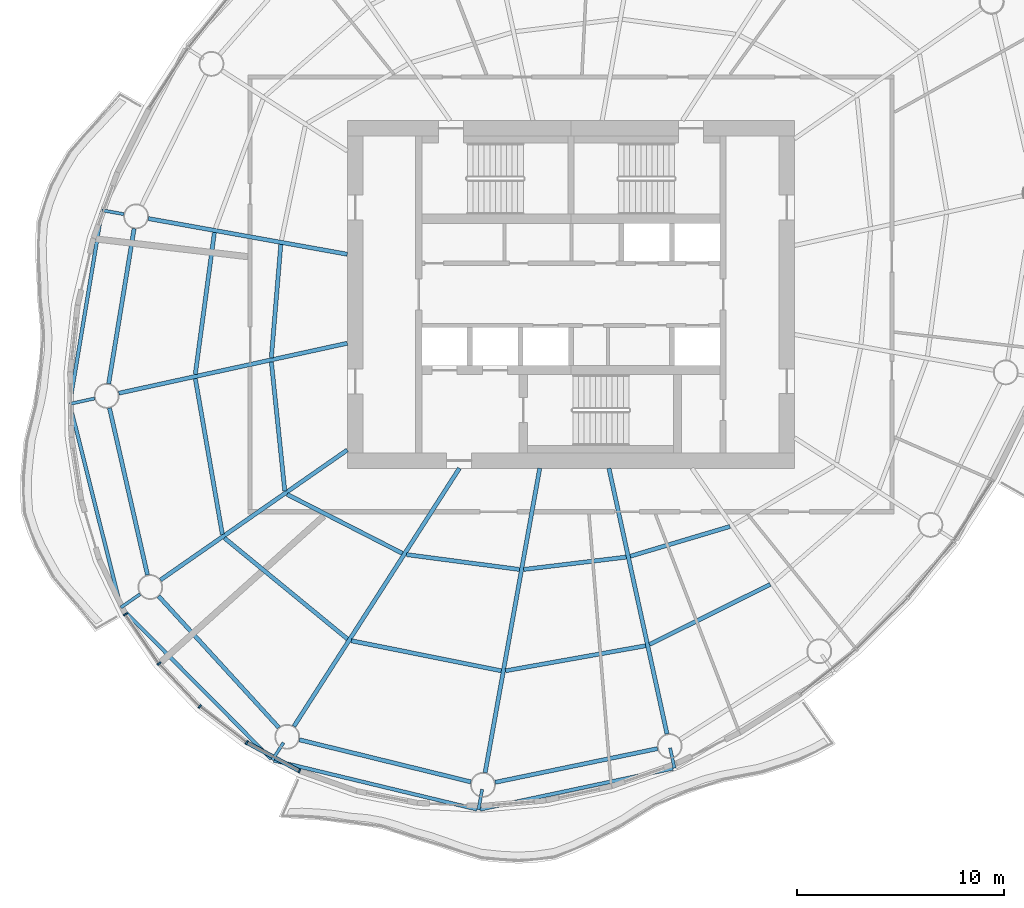
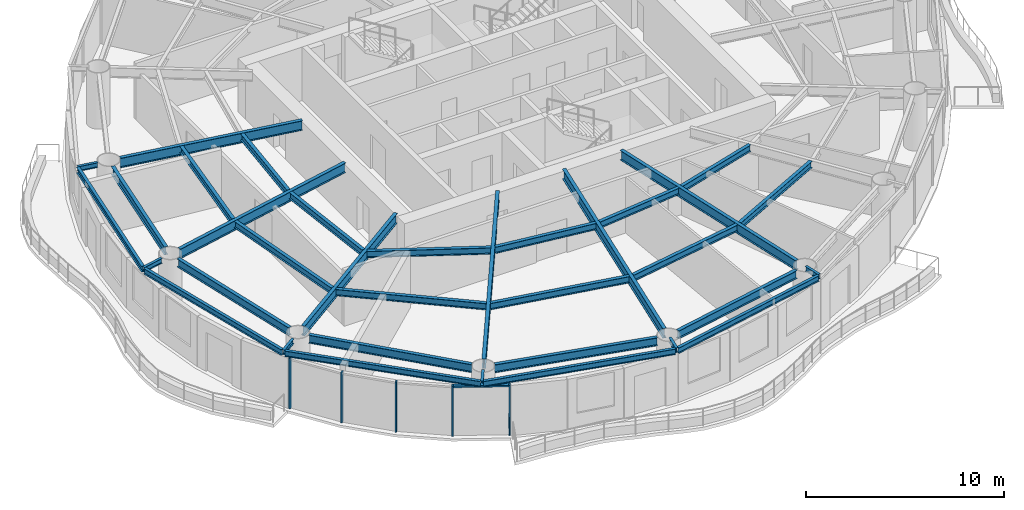
# One storey, part 2 of 14: 34 beams, 6 members, 4 elements without a shape of their own.
"""IFC4 building model written with IfcOpenShell, lengths in metres."""

from ifc_helpers import new_model, si_unit, direction, frame, origin, origin_2d, place, context, subcontext, project, spatial, rectangle, i_section, extrude, material, material_profile, profile_set, type_object, element, aggregate, save


model = new_model("IFC4")

# Units and contexts
model_context = context("Model", 3, precision=1e-05, world=origin(), true_north=direction((0.0, 1.0)))
body_context = subcontext(model_context, "Body", "Model", "MODEL_VIEW")
ifc_project = project(units=[si_unit("LENGTHUNIT", "METRE"), si_unit("AREAUNIT", "SQUARE_METRE"), si_unit("VOLUMEUNIT", "CUBIC_METRE"), si_unit("PLANEANGLEUNIT", "RADIAN"), si_unit("MASSUNIT", "GRAM", prefix="KILO")], contexts=[model_context])

# Site, building, storey
site_placement = place(None, origin())
site = spatial("IfcSite", under=ifc_project, at=site_placement, CompositionType="ELEMENT")
building_placement = place(site_placement, origin())
building = spatial("IfcBuilding", under=site, at=building_placement, Name="Vermilion Reach Broadcast Tower", CompositionType="ELEMENT")
storey_placement = place(building_placement, frame((0.0, 0.0, 224.5)))
storey = spatial("IfcBuildingStorey", under=building, at=storey_placement, Name="L55", CompositionType="ELEMENT", Elevation=224.5)

# Beams
ifc_material_1 = material(Name="Steel S355J2", Category="steel")
ifc_material_profile_1 = material_profile(ifc_material_1, i_section(OverallWidth=0.175048828125, OverallDepth=0.35009765625, WebThickness=0.007080078125, FlangeThickness=0.010986328125, at=origin_2d()), Name="S355J2 HN 350x175x7x11")
ifc_profile_set_1 = profile_set([ifc_material_profile_1], Name="Steel S355J2")
beam_type_1 = type_object("IfcBeamType", Name="EB4 HN 350x175x7x11", PredefinedType="BEAM", material=ifc_profile_set_1)
beam_1_placement = place(storey_placement, frame((-28.659912109375, 3.98876953125, 3.27490234375), z_axis=(-0.164356540248, -0.986400997403, 0.0), x_axis=(0.986400997403, -0.164356540248, 0.0)))
element("IfcBeam", 1, at=beam_1_placement, inside=storey, type_object=beam_type_1, Name="Edge beam EB4-06", PredefinedType="BEAM", context=body_context, shape_type="SweptSolid", body=[
    extrude(i_section(OverallWidth=0.175048828125, OverallDepth=0.35009765625, WebThickness=0.007080078125, FlangeThickness=0.010986328125, at=origin_2d()), origin(), (0.0, 0.0, 1.0), 9.3271484375),
])
beam_2_placement = place(storey_placement, frame((-30.18798828125, -5.36376953125, 3.27490234375), z_axis=(0.243565448554, -0.969884463362, 0.0), x_axis=(0.969884463362, 0.243565448554, 0.0)))
element("IfcBeam", 2, at=beam_2_placement, inside=storey, type_object=beam_type_1, Name="Edge beam EB4-07", PredefinedType="BEAM", context=body_context, shape_type="SweptSolid", body=[
    extrude(i_section(OverallWidth=0.175048828125, OverallDepth=0.35009765625, WebThickness=0.007080078125, FlangeThickness=0.010986328125, at=origin_2d()), origin(), (0.0, 0.0, 1.0), 9.9833984375),
])
beam_3_placement = place(storey_placement, frame((-27.68310546875, -15.178466796875, 3.27490234375), z_axis=(0.70439257326, -0.70981061047, 0.0), x_axis=(0.70981061047, 0.70439257326, 0.0)))
element("IfcBeam", 3, at=beam_3_placement, inside=storey, type_object=beam_type_1, Name="Edge beam EB4-08", PredefinedType="BEAM", context=body_context, shape_type="SweptSolid", body=[
    extrude(i_section(OverallWidth=0.175048828125, OverallDepth=0.35009765625, WebThickness=0.007080078125, FlangeThickness=0.010986328125, at=origin_2d()), origin(), (0.0, 0.0, 1.0), 10.228759765625),
])
beam_4_placement = place(storey_placement, frame((-20.3466796875, -22.511962890625, 3.27490234375), z_axis=(0.972153537578, -0.234344830058, 0.0), x_axis=(0.234344830058, 0.972153537578, 0.0)))
element("IfcBeam", 4, at=beam_4_placement, inside=storey, type_object=beam_type_1, Name="Edge beam EB4-09", PredefinedType="BEAM", context=body_context, shape_type="SweptSolid", body=[
    extrude(i_section(OverallWidth=0.175048828125, OverallDepth=0.35009765625, WebThickness=0.007080078125, FlangeThickness=0.010986328125, at=origin_2d()), origin(), (0.0, 0.0, 1.0), 10.0888671875),
])
beam_5_placement = place(storey_placement, frame((-10.386474609375, -24.877197265625, 3.27490234375), z_axis=(0.97821172631, 0.207609774601, 0.0), x_axis=(-0.207609774601, 0.97821172631, 0.0)))
element("IfcBeam", 5, at=beam_5_placement, inside=storey, type_object=beam_type_1, Name="Edge beam EB4-10", PredefinedType="BEAM", context=body_context, shape_type="SweptSolid", body=[
    extrude(i_section(OverallWidth=0.175048828125, OverallDepth=0.35009765625, WebThickness=0.007080078125, FlangeThickness=0.010986328125, at=origin_2d()), origin(), (0.0, 0.0, 1.0), 9.52294921875),
])
ifc_material_2 = material(Name="Steel S355J2", Category="steel")
ifc_material_profile_2 = material_profile(ifc_material_2, i_section(OverallWidth=0.199951171875, OverallDepth=0.60009765625, WebThickness=0.010986328125, FlangeThickness=0.01708984375, at=origin_2d()), Name="S355J2 HN 600x200x11x17")
ifc_profile_set_2 = profile_set([ifc_material_profile_2], Name="Steel S355J2")
beam_type_2 = type_object("IfcBeamType", Name="G4 HN 600x200x11x17", PredefinedType="BEAM", material=ifc_profile_set_2)
beam_6_placement = place(storey_placement, frame((-16.800048828125, 1.9375, 3.14990234375), z_axis=(-0.984291153273, 0.176552897422, 0.0), x_axis=(-0.176552897422, -0.984291153273, 0.0)))
element("IfcBeam", 6, at=beam_6_placement, inside=storey, type_object=beam_type_2, Name="Girder G4-06", PredefinedType="BEAM", context=body_context, shape_type="SweptSolid", body=[
    extrude(i_section(OverallWidth=0.199951171875, OverallDepth=0.60009765625, WebThickness=0.010986328125, FlangeThickness=0.01708984375, at=origin_2d()), origin(), (0.0, 0.0, 1.0), 9.765380859375),
])
beam_7_placement = place(storey_placement, frame((-16.800048828125, -2.360595703125, 3.14990234375), z_axis=(-0.976930175286, -0.213558967537, 0.0), x_axis=(0.213558967537, -0.976930175286, 0.0)))
element("IfcBeam", 7, at=beam_7_placement, inside=storey, type_object=beam_type_2, Name="Girder G4-07", PredefinedType="BEAM", context=body_context, shape_type="SweptSolid", body=[
    extrude(i_section(OverallWidth=0.199951171875, OverallDepth=0.60009765625, WebThickness=0.010986328125, FlangeThickness=0.01708984375, at=origin_2d()), origin(), (0.0, 0.0, 1.0), 11.29833984375),
])
beam_8_placement = place(storey_placement, frame((-16.800048828125, -7.5146484375, 3.14990234375), z_axis=(-0.820848627818, -0.571145804684, 0.0), x_axis=(0.571145804684, -0.820848627818, 0.0)))
element("IfcBeam", 8, at=beam_8_placement, inside=storey, type_object=beam_type_2, Name="Girder G4-08", PredefinedType="BEAM", context=body_context, shape_type="SweptSolid", body=[
    extrude(i_section(OverallWidth=0.199951171875, OverallDepth=0.60009765625, WebThickness=0.010986328125, FlangeThickness=0.01708984375, at=origin_2d()), origin(), (0.0, 0.0, 1.0), 10.99560546875),
])
beam_9_placement = place(storey_placement, frame((-11.386474609375, -8.39990234375, 3.14990234375), z_axis=(-0.539796447586, -0.84179557802, 0.0), x_axis=(0.84179557802, -0.539796447586, 0.0)))
element("IfcBeam", 9, at=beam_9_placement, inside=storey, type_object=beam_type_2, Name="Girder G4-09", PredefinedType="BEAM", context=body_context, shape_type="SweptSolid", body=[
    extrude(i_section(OverallWidth=0.199951171875, OverallDepth=0.60009765625, WebThickness=0.010986328125, FlangeThickness=0.01708984375, at=origin_2d()), origin(), (0.0, 0.0, 1.0), 14.8076171875),
])
beam_10_placement = place(storey_placement, frame((-7.5068359375, -8.39990234375, 3.14990234375), z_axis=(-0.176574729047, -0.984287237072, 0.0), x_axis=(0.984287237072, -0.176574729047, 0.0)))
element("IfcBeam", 10, at=beam_10_placement, inside=storey, type_object=beam_type_2, Name="Girder G4-10", PredefinedType="BEAM", context=body_context, shape_type="SweptSolid", body=[
    extrude(i_section(OverallWidth=0.199951171875, OverallDepth=0.60009765625, WebThickness=0.010986328125, FlangeThickness=0.01708984375, at=origin_2d()), origin(), (0.0, 0.0, 1.0), 14.935302734375),
])
beam_11_placement = place(storey_placement, frame((-4.163818359375, -8.39990234375, 3.14990234375), z_axis=(0.213538346548, -0.976934682849, 0.0), x_axis=(0.976934682849, 0.213538346548, 0.0)))
element("IfcBeam", 11, at=beam_11_placement, inside=storey, type_object=beam_type_2, Name="Girder G4-11", PredefinedType="BEAM", context=body_context, shape_type="SweptSolid", body=[
    extrude(i_section(OverallWidth=0.199951171875, OverallDepth=0.60009765625, WebThickness=0.010986328125, FlangeThickness=0.01708984375, at=origin_2d()), origin(), (0.0, 0.0, 1.0), 13.135498046875),
])
ifc_material_3 = material(Name="Steel S355J2", Category="steel")
ifc_material_profile_3 = material_profile(ifc_material_3, i_section(OverallWidth=0.14990234375, OverallDepth=0.300048828125, WebThickness=0.006591796875, FlangeThickness=0.009033203125, at=origin_2d()), Name="S355J2 HN 300x150x6.5x9")
ifc_profile_set_3 = profile_set([ifc_material_profile_3], Name="Steel S355J2")
beam_type_3 = type_object("IfcBeamType", Name="GS4 HN 300x150x6.5x9", PredefinedType="BEAM", material=ifc_profile_set_3)
beam_12_placement = place(storey_placement, frame((-27.59326171875, 3.87353515625, 3.300048828125), z_axis=(-0.984272223299, 0.17665840043, 0.0), x_axis=(-0.17665840043, -0.984272223299, 0.0)))
element("IfcBeam", 12, at=beam_12_placement, inside=storey, type_object=beam_type_3, Name="Cantilever stub GS4-06", PredefinedType="BEAM", context=body_context, shape_type="SweptSolid", body=[
    extrude(i_section(OverallWidth=0.14990234375, OverallDepth=0.300048828125, WebThickness=0.006591796875, FlangeThickness=0.009033203125, at=origin_2d()), origin(), (0.0, 0.0, 1.0), 1.071044921875),
])
beam_13_placement = place(storey_placement, frame((-29.009765625, -5.029541015625, 3.300048828125), z_axis=(-0.976945509972, -0.213488806607, 0.0), x_axis=(0.213488806607, -0.976945509972, 0.0)))
element("IfcBeam", 13, at=beam_13_placement, inside=storey, type_object=beam_type_3, Name="Cantilever stub GS4-07", PredefinedType="BEAM", context=body_context, shape_type="SweptSolid", body=[
    extrude(i_section(OverallWidth=0.14990234375, OverallDepth=0.300048828125, WebThickness=0.006591796875, FlangeThickness=0.009033203125, at=origin_2d()), origin(), (0.0, 0.0, 1.0), 1.224853515625),
])
beam_14_placement = place(storey_placement, frame((-26.810546875, -14.47998046875, 3.300048828125), z_axis=(-0.82083464038, -0.571165906854, 0.0), x_axis=(0.571165906854, -0.82083464038, 0.0)))
element("IfcBeam", 14, at=beam_14_placement, inside=storey, type_object=beam_type_3, Name="Cantilever stub GS4-08", PredefinedType="BEAM", context=body_context, shape_type="SweptSolid", body=[
    extrude(i_section(OverallWidth=0.14990234375, OverallDepth=0.300048828125, WebThickness=0.006591796875, FlangeThickness=0.009033203125, at=origin_2d()), origin(), (0.0, 0.0, 1.0), 1.12841796875),
])
for number, where, z_axis, x_axis, name in (
    (15, (-19.884033203125, -21.651611328125, 3.300048828125), (-0.539794777091, -0.841796649213, 0.0), (0.841796649213, -0.539794777091, 0.0), "Cantilever stub GS4-09"),
    (16, (-10.2890625, -23.90966796875, 3.300048828125), (-0.176500327456, -0.984300581331, 0.0), (0.984300581331, -0.176500327456, 0.0), "Cantilever stub GS4-10"),
):
    element("IfcBeam", number, at=place(storey_placement, frame(where, z_axis=z_axis, x_axis=x_axis)), inside=storey, type_object=beam_type_3, Name=name, PredefinedType="BEAM", context=body_context, shape_type="SweptSolid", body=[
        extrude(i_section(OverallWidth=0.14990234375, OverallDepth=0.300048828125, WebThickness=0.006591796875, FlangeThickness=0.009033203125, at=origin_2d()), origin(), (0.0, 0.0, 1.0), 1.0),
    ])
beam_15_placement = place(storey_placement, frame((-1.21142578125, -21.90771484375, 3.300048828125), z_axis=(0.213594957215, -0.976922307173, 0.0), x_axis=(0.976922307173, 0.213594957215, 0.0)))
element("IfcBeam", 17, at=beam_15_placement, inside=storey, type_object=beam_type_3, Name="Cantilever stub GS4-11", PredefinedType="BEAM", context=body_context, shape_type="SweptSolid", body=[
    extrude(i_section(OverallWidth=0.14990234375, OverallDepth=0.300048828125, WebThickness=0.006591796875, FlangeThickness=0.009033203125, at=origin_2d()), origin(), (0.0, 0.0, 1.0), 1.000244140625),
])
ifc_material_4 = material(Name="Steel S355J2", Category="steel")
ifc_material_profile_4 = material_profile(ifc_material_4, i_section(OverallWidth=0.199951171875, OverallDepth=0.5, WebThickness=0.010009765625, FlangeThickness=0.01611328125, at=origin_2d()), Name="S355J2 HN 500x200x10x16")
ifc_profile_set_4 = profile_set([ifc_material_profile_4], Name="Steel S355J2")
beam_type_4 = type_object("IfcBeamType", Name="RB4 HN 500x200x10x16", PredefinedType="BEAM", material=ifc_profile_set_4)
beam_16_placement = place(storey_placement, frame((-27.099609375, 3.175537109375, 3.199951171875), z_axis=(-0.161778110263, -0.986827159659, 0.0), x_axis=(0.986827159659, -0.161778110263, 0.0)))
element("IfcBeam", 18, at=beam_16_placement, inside=storey, type_object=beam_type_4, Name="Ring beam RB4-06", PredefinedType="BEAM", context=body_context, shape_type="SweptSolid", body=[
    extrude(i_section(OverallWidth=0.199951171875, OverallDepth=0.5, WebThickness=0.010009765625, FlangeThickness=0.01611328125, at=origin_2d()), origin(), (0.0, 0.0, 1.0), 7.584716796875),
])
beam_17_placement = place(storey_placement, frame((-28.290283203125, -5.486572265625, 3.199951171875), z_axis=(0.222283068275, -0.974982172944, 0.0), x_axis=(0.974982172944, 0.222283068275, 0.0)))
element("IfcBeam", 19, at=beam_17_placement, inside=storey, type_object=beam_type_4, Name="Ring beam RB4-07", PredefinedType="BEAM", context=body_context, shape_type="SweptSolid", body=[
    extrude(i_section(OverallWidth=0.199951171875, OverallDepth=0.5, WebThickness=0.010009765625, FlangeThickness=0.01611328125, at=origin_2d()), origin(), (0.0, 0.0, 1.0), 8.272705078125),
])
beam_18_placement = place(storey_placement, frame((-25.9130859375, -14.580078125, 3.199951171875), z_axis=(0.674868141417, -0.737938338684, 0.0), x_axis=(0.737938338684, 0.674868141417, 0.0)))
element("IfcBeam", 20, at=beam_18_placement, inside=storey, type_object=beam_type_4, Name="Ring beam RB4-08", PredefinedType="BEAM", context=body_context, shape_type="SweptSolid", body=[
    extrude(i_section(OverallWidth=0.199951171875, OverallDepth=0.5, WebThickness=0.010009765625, FlangeThickness=0.01611328125, at=origin_2d()), origin(), (0.0, 0.0, 1.0), 8.601318359375),
])
beam_19_placement = place(storey_placement, frame((-19.120849609375, -21.51318359375, 3.199951171875), z_axis=(0.971158622271, -0.238434331398, 0.0), x_axis=(0.238434331398, 0.971158622271, 0.0)))
element("IfcBeam", 21, at=beam_19_placement, inside=storey, type_object=beam_type_4, Name="Ring beam RB4-09", PredefinedType="BEAM", context=body_context, shape_type="SweptSolid", body=[
    extrude(i_section(OverallWidth=0.199951171875, OverallDepth=0.5, WebThickness=0.010009765625, FlangeThickness=0.01611328125, at=origin_2d()), origin(), (0.0, 0.0, 1.0), 8.534423828125),
])
beam_20_placement = place(storey_placement, frame((-9.662353515625, -23.569091796875, 3.199951171875), z_axis=(0.97912342484, 0.203266620302, 0.0), x_axis=(-0.203266620302, 0.97912342484, 0.0)))
element("IfcBeam", 22, at=beam_20_placement, inside=storey, type_object=beam_type_4, Name="Ring beam RB4-10", PredefinedType="BEAM", context=body_context, shape_type="SweptSolid", body=[
    extrude(i_section(OverallWidth=0.199951171875, OverallDepth=0.5, WebThickness=0.010009765625, FlangeThickness=0.01611328125, at=origin_2d()), origin(), (0.0, 0.0, 1.0), 8.01123046875),
])
ifc_material_5 = material(Name="Steel S355J2", Category="steel")
ifc_material_profile_5 = material_profile(ifc_material_5, i_section(OverallWidth=0.199951171875, OverallDepth=0.39990234375, WebThickness=0.008056640625, FlangeThickness=0.012939453125, at=origin_2d()), Name="S355J2 HN 400x200x8x13")
ifc_profile_set_5 = profile_set([ifc_material_profile_5], Name="Steel S355J2")
beam_type_5 = type_object("IfcBeamType", Name="SB4 HN 400x200x8x13", PredefinedType="BEAM", material=ifc_profile_set_5)
beam_21_placement = place(storey_placement, frame((-20.012451171875, 2.412109375, 3.25), z_axis=(-0.08339866655, -0.996516262997, 0.0), x_axis=(0.996516262997, -0.08339866655, 0.0)))
element("IfcBeam", 23, at=beam_21_placement, inside=storey, type_object=beam_type_5, Name="Secondary beam SB4-06-1", PredefinedType="BEAM", context=body_context, shape_type="SweptSolid", body=[
    extrude(i_section(OverallWidth=0.199951171875, OverallDepth=0.39990234375, WebThickness=0.008056640625, FlangeThickness=0.012939453125, at=origin_2d()), origin(), (0.0, 0.0, 1.0), 5.49169921875),
])
beam_22_placement = place(storey_placement, frame((-23.221435546875, 2.98779296875, 3.25), z_axis=(-0.133486718782, -0.991050602093, 0.0), x_axis=(0.991050602093, -0.133486718782, 0.0)))
element("IfcBeam", 24, at=beam_22_placement, inside=storey, type_object=beam_type_5, Name="Secondary beam SB4-06-2", PredefinedType="BEAM", context=body_context, shape_type="SweptSolid", body=[
    extrude(i_section(OverallWidth=0.199951171875, OverallDepth=0.39990234375, WebThickness=0.008056640625, FlangeThickness=0.012939453125, at=origin_2d()), origin(), (0.0, 0.0, 1.0), 6.913330078125),
])
beam_23_placement = place(storey_placement, frame((-20.46875, -3.264892578125, 3.25), z_axis=(0.103532173355, -0.994626105167, 0.0), x_axis=(0.994626105167, 0.103532173355, 0.0)))
element("IfcBeam", 25, at=beam_23_placement, inside=storey, type_object=beam_type_5, Name="Secondary beam SB4-07-1", PredefinedType="BEAM", context=body_context, shape_type="SweptSolid", body=[
    extrude(i_section(OverallWidth=0.199951171875, OverallDepth=0.39990234375, WebThickness=0.008056640625, FlangeThickness=0.012939453125, at=origin_2d()), origin(), (0.0, 0.0, 1.0), 6.26318359375),
])
beam_24_placement = place(storey_placement, frame((-24.141357421875, -4.067626953125, 3.25), z_axis=(0.170926997669, -0.985283695931, 0.0), x_axis=(0.985283695931, 0.170926997669, 0.0)))
element("IfcBeam", 26, at=beam_24_placement, inside=storey, type_object=beam_type_5, Name="Secondary beam SB4-07-2", PredefinedType="BEAM", context=body_context, shape_type="SweptSolid", body=[
    extrude(i_section(OverallWidth=0.199951171875, OverallDepth=0.39990234375, WebThickness=0.008056640625, FlangeThickness=0.012939453125, at=origin_2d()), origin(), (0.0, 0.0, 1.0), 7.63720703125),
])
beam_25_placement = place(storey_placement, frame((-19.707763671875, -9.659423828125, 3.25), z_axis=(0.89015575218, -0.455656380249, 0.0), x_axis=(0.455656380249, 0.89015575218, 0.0)))
element("IfcBeam", 27, at=beam_25_placement, inside=storey, type_object=beam_type_5, Name="Secondary beam SB4-08-1", PredefinedType="BEAM", context=body_context, shape_type="SweptSolid", body=[
    extrude(i_section(OverallWidth=0.199951171875, OverallDepth=0.39990234375, WebThickness=0.008056640625, FlangeThickness=0.012939453125, at=origin_2d()), origin(), (0.0, 0.0, 1.0), 6.25439453125),
])
beam_26_placement = place(storey_placement, frame((-22.73681640625, -11.76708984375, 3.25), z_axis=(0.772952000494, -0.6344645025, 0.0), x_axis=(0.6344645025, 0.772952000494, 0.0)))
element("IfcBeam", 28, at=beam_26_placement, inside=storey, type_object=beam_type_5, Name="Secondary beam SB4-08-2", PredefinedType="BEAM", context=body_context, shape_type="SweptSolid", body=[
    extrude(i_section(OverallWidth=0.199951171875, OverallDepth=0.39990234375, WebThickness=0.008056640625, FlangeThickness=0.012939453125, at=origin_2d()), origin(), (0.0, 0.0, 1.0), 7.689697265625),
])
beam_27_placement = place(storey_placement, frame((-13.94140625, -12.5693359375, 3.25), z_axis=(0.991458070019, -0.130425823341, 0.0), x_axis=(0.130425823341, 0.991458070019, 0.0)))
element("IfcBeam", 29, at=beam_27_placement, inside=storey, type_object=beam_type_5, Name="Secondary beam SB4-09-1", PredefinedType="BEAM", context=body_context, shape_type="SweptSolid", body=[
    extrude(i_section(OverallWidth=0.199951171875, OverallDepth=0.39990234375, WebThickness=0.008056640625, FlangeThickness=0.012939453125, at=origin_2d()), origin(), (0.0, 0.0, 1.0), 5.50341796875),
])
beam_28_placement = place(storey_placement, frame((-16.60986328125, -16.73095703125, 3.25), z_axis=(0.9805717807, -0.196160604851, 0.0), x_axis=(0.196160604851, 0.9805717807, 0.0)))
element("IfcBeam", 30, at=beam_28_placement, inside=storey, type_object=beam_type_5, Name="Secondary beam SB4-09-2", PredefinedType="BEAM", context=body_context, shape_type="SweptSolid", body=[
    extrude(i_section(OverallWidth=0.199951171875, OverallDepth=0.39990234375, WebThickness=0.008056640625, FlangeThickness=0.012939453125, at=origin_2d()), origin(), (0.0, 0.0, 1.0), 7.390380859375),
])
beam_29_placement = place(storey_placement, frame((-8.281982421875, -13.28759765625, 3.25), z_axis=(0.99278788328, 0.119884189168, 0.0), x_axis=(-0.119884189168, 0.99278788328, 0.0)))
element("IfcBeam", 31, at=beam_29_placement, inside=storey, type_object=beam_type_5, Name="Secondary beam SB4-10-1", PredefinedType="BEAM", context=body_context, shape_type="SweptSolid", body=[
    extrude(i_section(OverallWidth=0.199951171875, OverallDepth=0.39990234375, WebThickness=0.008056640625, FlangeThickness=0.012939453125, at=origin_2d()), origin(), (0.0, 0.0, 1.0), 4.9892578125),
])
beam_30_placement = place(storey_placement, frame((-9.159912109375, -18.181640625, 3.25), z_axis=(0.984415281892, 0.175859468829, 0.0), x_axis=(-0.175859468829, 0.984415281892, 0.0)))
element("IfcBeam", 32, at=beam_30_placement, inside=storey, type_object=beam_type_5, Name="Secondary beam SB4-10-2", PredefinedType="BEAM", context=body_context, shape_type="SweptSolid", body=[
    extrude(i_section(OverallWidth=0.199951171875, OverallDepth=0.39990234375, WebThickness=0.008056640625, FlangeThickness=0.012939453125, at=origin_2d()), origin(), (0.0, 0.0, 1.0), 6.874755859375),
])
beam_31_placement = place(storey_placement, frame((-3.1328125, -12.64892578125, 3.25), z_axis=(0.958173460215, 0.28618808525, 0.0), x_axis=(-0.28618808525, 0.958173460215, 0.0)))
element("IfcBeam", 33, at=beam_31_placement, inside=storey, type_object=beam_type_5, Name="Secondary beam SB4-11-1", PredefinedType="BEAM", context=body_context, shape_type="SweptSolid", body=[
    extrude(i_section(OverallWidth=0.199951171875, OverallDepth=0.39990234375, WebThickness=0.008056640625, FlangeThickness=0.012939453125, at=origin_2d()), origin(), (0.0, 0.0, 1.0), 5.02197265625),
])
beam_32_placement = place(storey_placement, frame((-2.20166015625, -16.908935546875, 3.25), z_axis=(0.895183615542, 0.445697536974, 0.0), x_axis=(-0.445697536974, 0.895183615542, 0.0)))
element("IfcBeam", 34, at=beam_32_placement, inside=storey, type_object=beam_type_5, Name="Secondary beam SB4-11-2", PredefinedType="BEAM", context=body_context, shape_type="SweptSolid", body=[
    extrude(i_section(OverallWidth=0.199951171875, OverallDepth=0.39990234375, WebThickness=0.008056640625, FlangeThickness=0.012939453125, at=origin_2d()), origin(), (0.0, 0.0, 1.0), 6.508544921875),
])

# Curtain wall, member
ifc_material_6 = material(Name="Low-e laminated clear glass in aluminium frame", Category="aluminium")
curtain_wall_type = type_object("IfcCurtainWallType", Name="Slot curtain wall", PredefinedType="NOTDEFINED", material=ifc_material_6)
placement = place(storey_placement, origin())
curtain_wall_1 = element("IfcCurtainWall", 35, at=placement, inside=storey, type_object=curtain_wall_type, Name="Slot curtain wall L55 22", PredefinedType="NOTDEFINED")
ifc_material_7 = material(Name="Anodised aluminium", Category="aluminium")
ifc_material_profile_6 = material_profile(ifc_material_7, rectangle(XDim=0.199951171875, YDim=0.080078125, at=origin_2d()), Name="Slot mullion 80 x 200")
ifc_profile_set_6 = profile_set([ifc_material_profile_6], Name="Anodised aluminium")
member_type_1 = type_object("IfcMemberType", Name="Slot mullion 80 x 200", PredefinedType="MULLION", material=ifc_profile_set_6)
member_1_placement = place(storey_placement, frame((-27.51904296875, -15.451904296875, 0.0), z_axis=(0.0, 0.0, 1.0), x_axis=(0.866665752934, 0.498889238902, 0.0)))
member_1 = element("IfcMember", 36, at=member_1_placement, type_object=member_type_1, Name="Slot mullion L55 22", PredefinedType="MULLION", context=body_context, shape_type="SweptSolid", body=[
    extrude(rectangle(XDim=0.199951171875, YDim=0.080078125, at=origin_2d()), origin(), (0.0, 0.0, 1.0), 3.10009765625),
])
aggregate(curtain_wall_1, [member_1])

curtain_wall_2 = element("IfcCurtainWall", 37, at=placement, inside=storey, type_object=curtain_wall_type, Name="Slot curtain wall L55 23", PredefinedType="NOTDEFINED")
member_2_placement = place(storey_placement, frame((-25.8916015625, -17.832763671875, 0.0), z_axis=(0.0, 0.0, 1.0), x_axis=(0.778340657699, 0.627842194004, 0.0)))
member_2 = element("IfcMember", 38, at=member_2_placement, type_object=member_type_1, Name="Slot mullion L55 23", PredefinedType="MULLION", context=body_context, shape_type="SweptSolid", body=[
    extrude(rectangle(XDim=0.199951171875, YDim=0.080078125, at=origin_2d()), origin(), (0.0, 0.0, 1.0), 3.10009765625),
])
aggregate(curtain_wall_2, [member_2])

curtain_wall_3 = element("IfcCurtainWall", 39, at=placement, inside=storey, type_object=curtain_wall_type, Name="Slot curtain wall L55 24", PredefinedType="NOTDEFINED")
member_3_placement = place(storey_placement, frame((-23.92626953125, -19.908935546875, 0.0), z_axis=(0.0, 0.0, 1.0), x_axis=(0.66913072138, 0.743144721912, 0.0)))
member_3 = element("IfcMember", 40, at=member_3_placement, type_object=member_type_1, Name="Slot mullion L55 24", PredefinedType="MULLION", context=body_context, shape_type="SweptSolid", body=[
    extrude(rectangle(XDim=0.199951171875, YDim=0.080078125, at=origin_2d()), origin(), (0.0, 0.0, 1.0), 3.10009765625),
])
aggregate(curtain_wall_3, [member_3])

# Curtain wall, members
curtain_wall_4 = element("IfcCurtainWall", 41, at=placement, inside=storey, type_object=curtain_wall_type, Name="Slot curtain wall L55 25", PredefinedType="NOTDEFINED")
member_4_placement = place(storey_placement, frame((-21.65576171875, -21.646728515625, 0.0), z_axis=(0.0, 0.0, 1.0), x_axis=(0.543044078598, 0.839704191189, 0.0)))
member_4 = element("IfcMember", 42, at=member_4_placement, type_object=member_type_1, Name="Slot mullion L55 25", PredefinedType="MULLION", context=body_context, shape_type="SweptSolid", body=[
    extrude(rectangle(XDim=0.199951171875, YDim=0.080078125, at=origin_2d()), origin(), (0.0, 0.0, 1.0), 3.10009765625),
])
member_5_placement = place(storey_placement, frame((-19.117919921875, -23.01611328125, 0.0), z_axis=(0.0, 0.0, 1.0), x_axis=(0.405565004754, 0.914066204888, 0.0)))
member_5 = element("IfcMember", 43, at=member_5_placement, type_object=member_type_1, Name="Slot mullion L55 26", PredefinedType="MULLION", context=body_context, shape_type="SweptSolid", body=[
    extrude(rectangle(XDim=0.199951171875, YDim=0.080078125, at=origin_2d()), origin(), (0.0, 0.0, 1.0), 3.10009765625),
])
ifc_material_8 = material(Name="Anodised aluminium", Category="aluminium")
ifc_material_profile_7 = material_profile(ifc_material_8, rectangle(XDim=0.199951171875, YDim=0.10009765625, at=origin_2d()), Name="Slot transom 200 x 100")
ifc_profile_set_7 = profile_set([ifc_material_profile_7], Name="Anodised aluminium")
member_type_2 = type_object("IfcMemberType", Name="Slot transom 200 x 100", PredefinedType="USERDEFINED", material=ifc_profile_set_7)
member_6_placement = place(storey_placement, frame((-21.62060546875, -21.66552734375, 3.050048828125), z_axis=(0.879986932202, -0.474997893841, 0.0), x_axis=(0.474997893841, 0.879986932202, 0.0)))
member_6 = element("IfcMember", 44, at=member_6_placement, type_object=member_type_2, Name="Slot transom L55 25.1", ObjectType="TRANSOM", PredefinedType="USERDEFINED", context=body_context, shape_type="SweptSolid", body=[
    extrude(rectangle(XDim=0.199951171875, YDim=0.10009765625, at=origin_2d()), origin(), (0.0, 0.0, 1.0), 2.8037109375),
])
aggregate(curtain_wall_4, [member_4, member_5, member_6])

save(model, "model.ifc")
